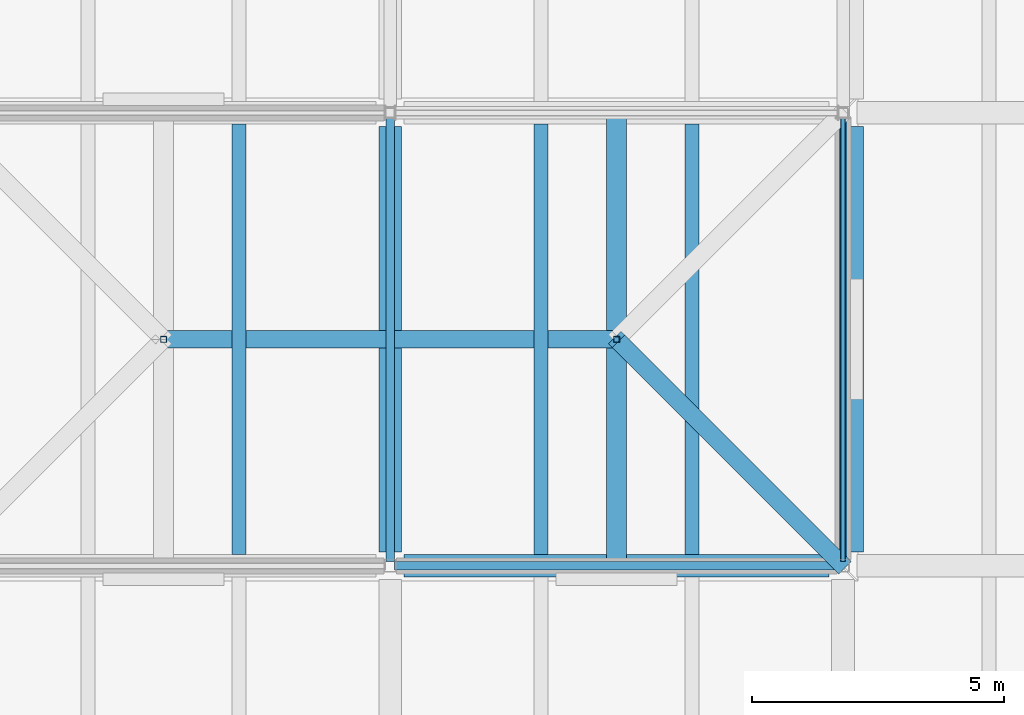
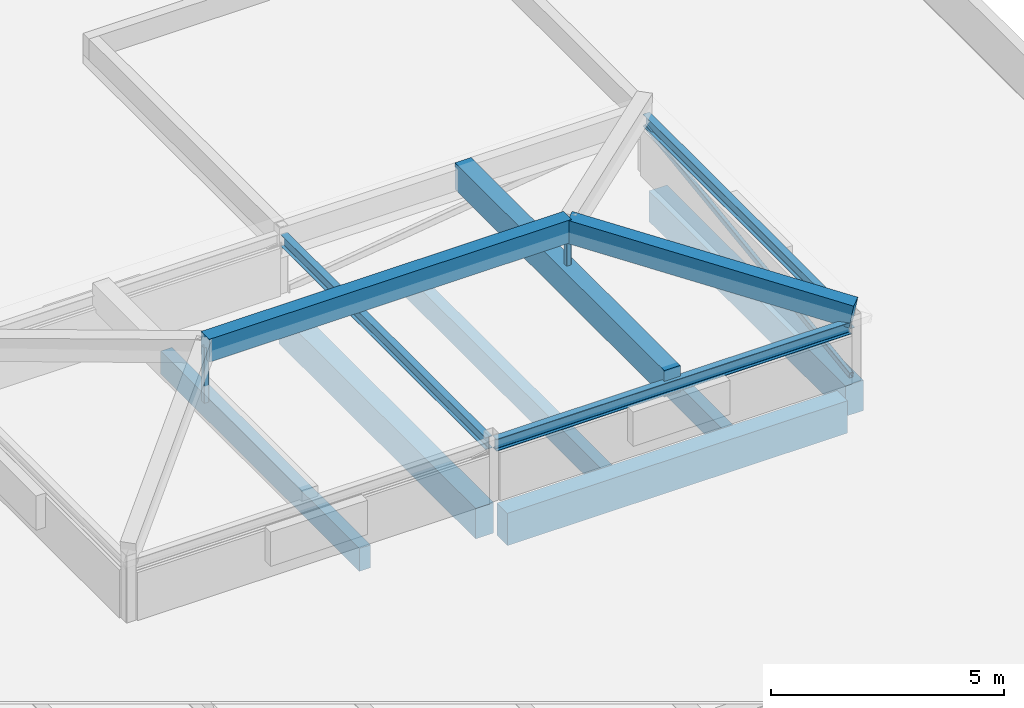
# One storey, part 15 of 56: 12 beams, 3 members.
"""IFC4 building model written with IfcOpenShell, lengths in metres."""

from ifc_helpers import new_model, si_unit, direction, frame, origin, origin_2d, place, context, subcontext, project, spatial, rectangle, hollow_rectangle, i_section, extrude, material, material_profile, profile_set, type_object, element, save


model = new_model("IFC4")

# Units and contexts
model_context = context("Model", 3, precision=1e-05, world=origin(), true_north=direction((0.0, 1.0)))
body_context = subcontext(model_context, "Body", "Model", "MODEL_VIEW")
ifc_project = project(units=[si_unit("LENGTHUNIT", "METRE"), si_unit("AREAUNIT", "SQUARE_METRE"), si_unit("VOLUMEUNIT", "CUBIC_METRE"), si_unit("PLANEANGLEUNIT", "RADIAN"), si_unit("MASSUNIT", "GRAM", prefix="KILO")], contexts=[model_context])

# Site, building, storey
site_placement = place(None, origin())
site = spatial("IfcSite", under=ifc_project, at=site_placement, CompositionType="ELEMENT")
building_placement = place(site_placement, origin())
building = spatial("IfcBuilding", under=site, at=building_placement, Name="Zacnel Wholesale Market", CompositionType="ELEMENT")
storey_placement = place(building_placement, frame((0.0, 0.0, 20.300048828125)))
storey = spatial("IfcBuildingStorey", under=building, at=storey_placement, Name="RF", CompositionType="ELEMENT", Elevation=20.300048828125)

# Beams
ifc_material_1 = material(Name="Concrete C40/50", Category="concrete")
ifc_material_profile_1 = material_profile(ifc_material_1, rectangle(XDim=0.35009765625, YDim=0.60009765625, at=origin_2d()), Name="ARCH RIB 350x600")
ifc_profile_set_1 = profile_set([ifc_material_profile_1], Name="Concrete C40/50")
beam_type_1 = type_object("IfcBeamType", Name="BM-AR600", PredefinedType="USERDEFINED", material=ifc_profile_set_1)
beam_1_placement = place(storey_placement, frame((63.0, 66.0, 1.780029296875), z_axis=(-0.696777465186, 0.696777465186, 0.170300698821), x_axis=(-0.707106781187, -0.707106781187, 0.0)))
element("IfcBeam", 1, at=beam_1_placement, inside=storey, type_object=beam_type_1, Name="Hipped crown rib STR-ROOF-V3-PENT-2", ObjectType="ARCH RIB", PredefinedType="USERDEFINED", context=body_context, shape_type="SweptSolid", body=[
    extrude(rectangle(XDim=0.35009765625, YDim=0.60009765625, at=origin_2d()), origin(), (0.0, 0.0, 1.0), 6.458251953125),
])
beam_2_placement = place(storey_placement, frame((49.5, 70.5, 2.8798828125), z_axis=(1.0, 0.0, 0.0), x_axis=(0.0, 1.0, 0.0)))
element("IfcBeam", 2, at=beam_2_placement, inside=storey, type_object=beam_type_1, Name="Hipped crown ridge STR-ROOF-V3-PENT", ObjectType="ARCH RIB", PredefinedType="USERDEFINED", context=body_context, shape_type="SweptSolid", body=[
    extrude(rectangle(XDim=0.35009765625, YDim=0.60009765625, at=origin_2d()), origin(), (0.0, 0.0, 1.0), 9.0),
])
ifc_material_2 = material(Name="Precast concrete C45/55", Category="concrete")
ifc_material_profile_2 = material_profile(ifc_material_2, rectangle(XDim=0.280029296875, YDim=0.60009765625, at=origin_2d()), Name="DT RIB 280x600")
ifc_profile_set_2 = profile_set([ifc_material_profile_2], Name="Precast concrete C45/55")
beam_type_2 = type_object("IfcBeamType", Name="BM-DT600", PredefinedType="JOIST", material=ifc_profile_set_2)
for number, where, z_axis, x_axis, name in (
    (3, (51.0, 66.22509765625, -0.60009765625), (0.0, 1.0, 0.0), (-1.0, 0.0, 0.0), "Precast secondary joist RF-0876"),
    (4, (57.0, 66.22509765625, -0.60009765625), (0.0, 1.0, 0.0), (-1.0, 0.0, 0.0), "Precast secondary joist RF-0877"),
    (5, (60.0, 66.22509765625, -0.60009765625), (0.0, 1.0, 0.0), (-1.0, 0.0, 0.0), "Precast secondary joist RF-0878"),
):
    element("IfcBeam", number, at=place(storey_placement, frame(where, z_axis=z_axis, x_axis=x_axis)), inside=storey, type_object=beam_type_2, Name=name, PredefinedType="JOIST", context=body_context, shape_type="SweptSolid", body=[
        extrude(rectangle(XDim=0.280029296875, YDim=0.60009765625, at=origin_2d()), origin(), (0.0, 0.0, 1.0), 8.5498046875),
    ])
ifc_material_3 = material(Name="Precast concrete C45/55", Category="concrete")
ifc_material_profile_3 = material_profile(ifc_material_3, rectangle(XDim=0.39990234375, YDim=0.699951171875, at=origin_2d()), Name="PG 400x700")
ifc_profile_set_3 = profile_set([ifc_material_profile_3], Name="Precast concrete C45/55")
beam_type_3 = type_object("IfcBeamType", Name="BM-PG700", PredefinedType="BEAM", material=ifc_profile_set_3)
beam_3_placement = place(storey_placement, frame((58.5, 66.0, 1.550048828125), z_axis=(0.0, 1.0, 0.0), x_axis=(-1.0, 0.0, 0.0)))
element("IfcBeam", 6, at=beam_3_placement, inside=storey, type_object=beam_type_3, Name="Hipped crown tie beam STR-ROOF-V3-PENT-2", PredefinedType="BEAM", context=body_context, shape_type="SweptSolid", body=[
    extrude(rectangle(XDim=0.39990234375, YDim=0.699951171875, at=origin_2d()), origin(), (0.0, 0.0, 1.0), 9.0),
])
ifc_material_4 = material(Name="Precast concrete C45/55", Category="concrete")
ifc_material_profile_4 = material_profile(ifc_material_4, rectangle(XDim=0.449951171875, YDim=0.800048828125, at=origin_2d()), Name="PG 450x800")
ifc_profile_set_4 = profile_set([ifc_material_profile_4], Name="Precast concrete C45/55")
beam_type_4 = type_object("IfcBeamType", Name="BM-PG800", PredefinedType="BEAM", material=ifc_profile_set_4)
for number, where, z_axis, x_axis, name in (
    (7, (54.0, 66.27490234375, -0.699951171875), (0.0, 1.0, 0.0), (-1.0, 0.0, 0.0), "Precast girder Y-1472"),
    (8, (63.179931640625, 66.27490234375, -0.699951171875), (0.0, 1.0, 0.0), (-1.0, 0.0, 0.0), "Precast girder Y-1480"),
):
    element("IfcBeam", number, at=place(storey_placement, frame(where, z_axis=z_axis, x_axis=x_axis)), inside=storey, type_object=beam_type_4, Name=name, PredefinedType="BEAM", context=body_context, shape_type="SweptSolid", body=[
        extrude(rectangle(XDim=0.449951171875, YDim=0.800048828125, at=origin_2d()), origin(), (0.0, 0.0, 1.0), 8.4501953125),
    ])
ifc_material_5 = material(Name="Precast concrete C45/55", Category="concrete")
ifc_material_profile_5 = material_profile(ifc_material_5, rectangle(XDim=0.449951171875, YDim=0.85009765625, at=origin_2d()), Name="PG 450x850")
ifc_profile_set_5 = profile_set([ifc_material_profile_5], Name="Precast concrete C45/55")
beam_type_5 = type_object("IfcBeamType", Name="BM-PG850", PredefinedType="BEAM", material=ifc_profile_set_5)
beam_4_placement = place(storey_placement, frame((54.27490234375, 66.0, -0.72509765625), z_axis=(1.0, 0.0, 0.0), x_axis=(0.0, 1.0, 0.0)))
element("IfcBeam", 9, at=beam_4_placement, inside=storey, type_object=beam_type_5, Name="Precast girder X-1378", PredefinedType="BEAM", context=body_context, shape_type="SweptSolid", body=[
    extrude(rectangle(XDim=0.449951171875, YDim=0.85009765625, at=origin_2d()), origin(), (0.0, 0.0, 1.0), 8.4501953125),
])
ifc_material_6 = material(Name="Steel S355", Category="steel")
ifc_material_profile_6 = material_profile(ifc_material_6, i_section(OverallWidth=0.166015625, OverallDepth=0.31298828125, WebThickness=0.006591796875, FlangeThickness=0.01123046875, FilletRadius=0.010009765625, at=origin_2d()), Name="W310X44.5")
ifc_profile_set_6 = profile_set([ifc_material_profile_6], Name="Steel S355")
beam_type_6 = type_object("IfcBeamType", Name="BM-STL-W310", PredefinedType="BEAM", material=ifc_profile_set_6)
for number, where, z_axis, x_axis, name in (
    (10, (54.090087890625, 66.0, 1.4599609375), (1.0, 0.0, 0.0), (0.0, 1.0, 0.0), "Refrigeration penthouse beam 02"),
    (11, (54.0, 66.090087890625, 1.4599609375), (0.0, 1.0, 0.0), (-1.0, 0.0, 0.0), "Refrigeration penthouse beam 06"),
    (12, (63.0, 66.090087890625, 1.4599609375), (0.0, 1.0, 0.0), (-1.0, 0.0, 0.0), "Refrigeration penthouse beam 07"),
):
    element("IfcBeam", number, at=place(storey_placement, frame(where, z_axis=z_axis, x_axis=x_axis)), inside=storey, type_object=beam_type_6, Name=name, PredefinedType="BEAM", context=body_context, shape_type="SweptSolid", body=[
        extrude(i_section(OverallWidth=0.166015625, OverallDepth=0.31298828125, WebThickness=0.006591796875, FlangeThickness=0.01123046875, FilletRadius=0.010009765625, at=origin_2d()), origin(), (0.0, 0.0, 1.0), 8.81982421875),
    ])

# Members
ifc_material_7 = material(Name="Steel S355", Category="steel")
ifc_material_profile_7 = material_profile(ifc_material_7, hollow_rectangle(XDim=0.1201171875, YDim=0.1201171875, WallThickness=0.00634765625, InnerFilletRadius=0.006103515625, OuterFilletRadius=0.011962890625, at=origin_2d()), Name="HSS 120x120x6.3")
ifc_profile_set_7 = profile_set([ifc_material_profile_7], Name="Steel S355")
member_type_1 = type_object("IfcMemberType", Name="MEM-PST-HSS120", PredefinedType="POST", material=ifc_profile_set_7)
for number, where, z_axis, x_axis, name in (
    (13, (49.5, 70.5, 1.449951171875), (0.0, 0.0, 1.0), (1.0, 0.0, 0.0), "Hipped crown king-post STR-ROOF-V3-PENT-1"),
    (14, (58.5, 70.5, 1.449951171875), (0.0, 0.0, 1.0), (1.0, 0.0, 0.0), "Hipped crown king-post STR-ROOF-V3-PENT-2"),
):
    element("IfcMember", number, at=place(storey_placement, frame(where, z_axis=z_axis, x_axis=x_axis)), inside=storey, type_object=member_type_1, Name=name, PredefinedType="POST", context=body_context, shape_type="SweptSolid", body=[
        extrude(hollow_rectangle(XDim=0.1201171875, YDim=0.1201171875, WallThickness=0.00634765625, InnerFilletRadius=0.006103515625, OuterFilletRadius=0.011962890625, at=origin_2d()), origin(), (0.0, 0.0, 1.0), 1.449951171875),
    ])
ifc_material_8 = material(Name="Steel S355", Category="steel")
ifc_material_profile_8 = material_profile(ifc_material_8, hollow_rectangle(XDim=0.10009765625, YDim=0.14990234375, WallThickness=0.008056640625, InnerFilletRadius=0.008056640625, OuterFilletRadius=0.01611328125, at=origin_2d()), Name="HSS 150x100x8")
ifc_profile_set_8 = profile_set([ifc_material_profile_8], Name="Steel S355")
member_type_2 = type_object("IfcMemberType", Name="MEM-STR-HSS150", PredefinedType="STRUT", material=ifc_profile_set_8)
member_placement = place(storey_placement, frame((63.0, 66.10009765625, 0.079833984375), z_axis=(0.0, 0.990826822178, 0.135137738814), x_axis=(-1.0, 0.0, 0.0)))
element("IfcMember", 15, at=member_placement, inside=storey, type_object=member_type_2, Name="Refrigeration penthouse brace 04", PredefinedType="STRUT", context=body_context, shape_type="SweptSolid", body=[
    extrude(hollow_rectangle(XDim=0.10009765625, YDim=0.14990234375, WallThickness=0.008056640625, InnerFilletRadius=0.008056640625, OuterFilletRadius=0.01611328125, at=origin_2d()), origin(), (0.0, 0.0, 1.0), 8.88134765625),
])

save(model, "model.ifc")
